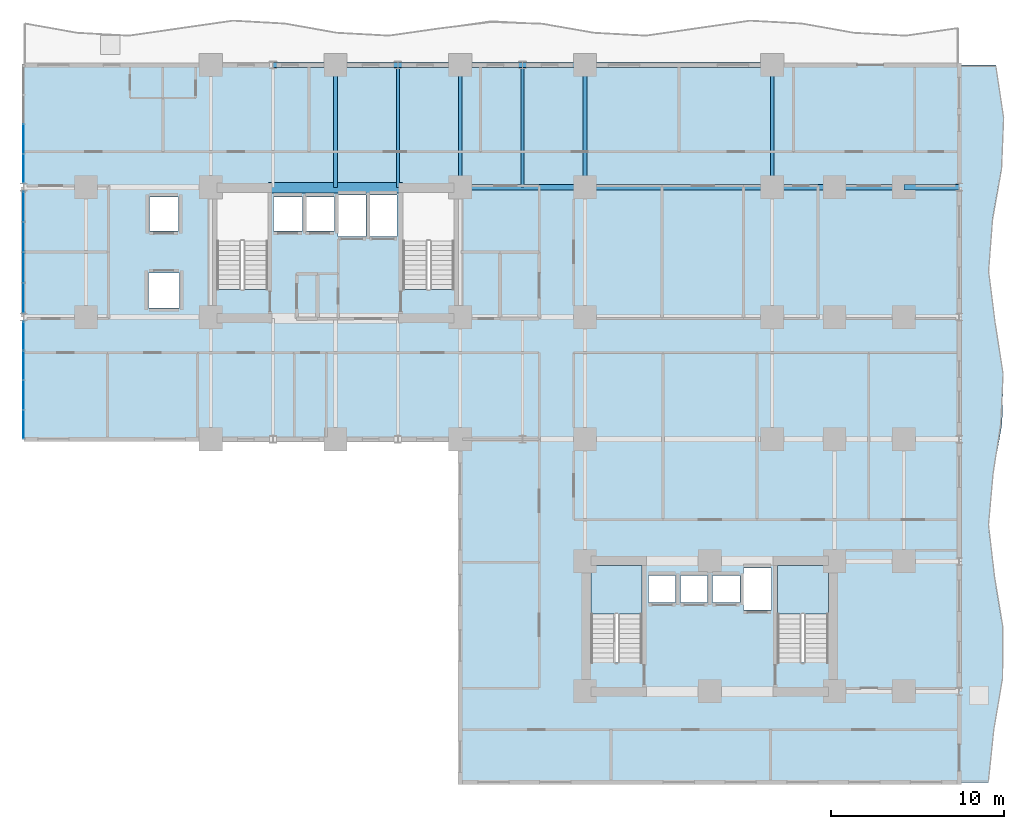
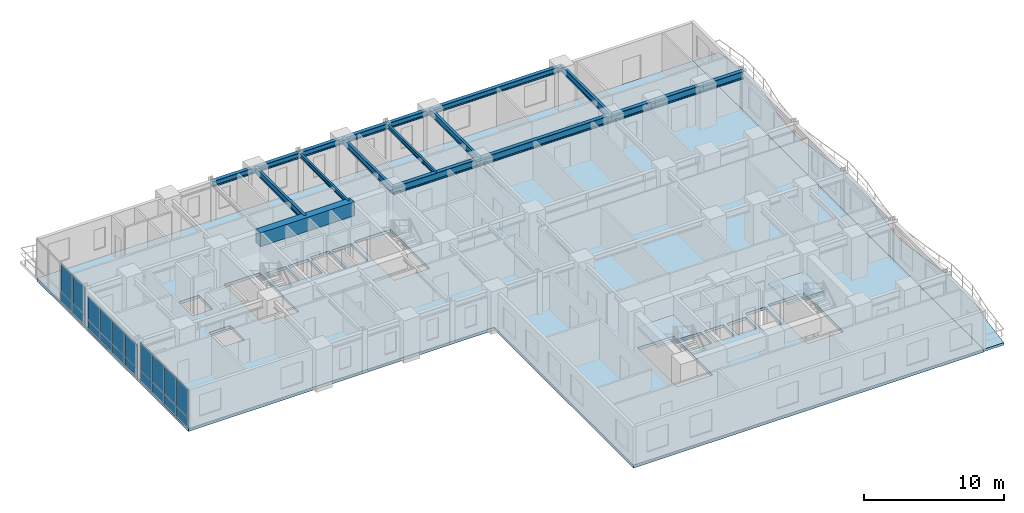
# One storey, part 9 of 19: 20 plates, 18 beams, 4 slabs, 5 elements without a shape of their own.
"""IFC4 building model written with IfcOpenShell, lengths in metres."""

from ifc_helpers import new_model, si_unit, direction, frame, origin, origin_2d, place, context, subcontext, project, spatial, polyline, rectangle, i_section, outline, extrude, source, transform, mapped, material, layer, layer_set, material_profile, profile_set, type_object, element, aggregate, save


model = new_model("IFC4")

# Units and contexts
model_context = context("Model", 3, precision=1e-05, world=origin(), true_north=direction((0.0, 1.0)))
body_context = subcontext(model_context, "Body", "Model", "MODEL_VIEW")
ifc_project = project(units=[si_unit("LENGTHUNIT", "METRE"), si_unit("AREAUNIT", "SQUARE_METRE"), si_unit("VOLUMEUNIT", "CUBIC_METRE"), si_unit("PLANEANGLEUNIT", "RADIAN"), si_unit("MASSUNIT", "GRAM", prefix="KILO")], contexts=[model_context])

# Site, building, storey
site_placement = place(None, origin())
site = spatial("IfcSite", under=ifc_project, at=site_placement, CompositionType="ELEMENT")
building_placement = place(site_placement, origin())
building = spatial("IfcBuilding", under=site, at=building_placement, Name="Kaliganga Portal Commons", CompositionType="ELEMENT")
storey_placement = place(building_placement, frame((0.0, 0.0, 47.5)))
storey = spatial("IfcBuildingStorey", under=building, at=storey_placement, Name="L11", CompositionType="ELEMENT", Elevation=47.5)

# Beams
ifc_material_1 = material(Name="Concrete C60/75", Category="concrete")
ifc_material_profile_1 = material_profile(ifc_material_1, rectangle(XDim=0.60009765625, YDim=1.199951171875, at=origin_2d()), Name="RC 600x1200")
ifc_profile_set_1 = profile_set([ifc_material_profile_1], Name="Concrete C60/75")
beam_type_1 = type_object("IfcBeamType", Name="BM-CPL-1200", PredefinedType="LINTEL", material=ifc_profile_set_1)
shared_shape_1 = source(origin(), body_context, "Body", "SweptSolid", [
    extrude(rectangle(XDim=0.60009765625, YDim=1.199951171875, at=origin_2d()), origin(), (0.0, 0.0, 1.0), 7.739990234375),
])
beam_1_placement = place(storey_placement, frame((17.72998046875, 36.125, 2.85009765625), z_axis=(1.0, 0.0, 0.0), x_axis=(0.0, 1.0, 0.0)))
element("IfcBeam", 1, at=beam_1_placement, inside=storey, type_object=beam_type_1, Name="BM CPL COREA L11 N", PredefinedType="LINTEL", context=body_context, shape_type="MappedRepresentation", body=[
    mapped(shared_shape_1, transform((0.0, 0.0, 0.0), x_axis=(1.0, 0.0, 0.0), y_axis=(0.0, 1.0, 0.0), z_axis=(0.0, 0.0, 1.0), scale=1.0)),
])
ifc_material_2 = material(Name="Structural steel S355J2", Category="steel")
ifc_material_profile_2 = material_profile(ifc_material_2, i_section(OverallWidth=0.300048828125, OverallDepth=0.5, WebThickness=0.014404296875, FlangeThickness=0.028076171875, FilletRadius=0.027099609375, at=origin_2d()), Name="HE 500 B")
ifc_profile_set_2 = profile_set([ifc_material_profile_2], Name="Structural steel S355J2 wide-flange")
beam_type_2 = type_object("IfcBeamType", Name="BM-SPAND-500", PredefinedType="SPANDREL", material=ifc_profile_set_2)
shared_shape_2 = source(origin(), body_context, "Body", "SweptSolid", [
    extrude(i_section(OverallWidth=0.300048828125, OverallDepth=0.5, WebThickness=0.014404296875, FlangeThickness=0.028076171875, FilletRadius=0.027099609375, at=origin_2d()), origin(), (0.0, 0.0, 1.0), 10.800048828125),
])
beam_2_placement = place(storey_placement, frame((36.0, 43.199951171875, 3.199951171875), z_axis=(1.0, 0.0, 0.0), x_axis=(0.0, 1.0, 0.0)))
element("IfcBeam", 2, at=beam_2_placement, inside=storey, type_object=beam_type_2, Name="BM SP L11 AN 7", PredefinedType="SPANDREL", context=body_context, shape_type="MappedRepresentation", body=[
    mapped(shared_shape_2, transform((0.0, 0.0, 0.0), x_axis=(1.0, 0.0, 0.0), y_axis=(0.0, 1.0, 0.0), z_axis=(0.0, 0.0, 1.0), scale=1.0)),
])
shared_shape_3 = source(origin(), body_context, "Body", "SweptSolid", [
    extrude(i_section(OverallWidth=0.300048828125, OverallDepth=0.5, WebThickness=0.014404296875, FlangeThickness=0.028076171875, FilletRadius=0.027099609375, at=origin_2d()), origin(), (0.0, 0.0, 1.0), 3.60009765625),
])
for number, where, z_axis, x_axis, name in (
    (3, (18.0, 43.199951171875, 3.199951171875), (1.0, 0.0, 0.0), (0.0, 1.0, 0.0), "BM SP L11 AN 2"),
    (4, (25.199951171875, 43.199951171875, 3.199951171875), (1.0, 0.0, 0.0), (0.0, 1.0, 0.0), "BM SP L11 AN 4"),
    (5, (32.39990234375, 43.199951171875, 3.199951171875), (1.0, 0.0, 0.0), (0.0, 1.0, 0.0), "BM SP L11 AN 6"),
):
    element("IfcBeam", number, at=place(storey_placement, frame(where, z_axis=z_axis, x_axis=x_axis)), inside=storey, type_object=beam_type_2, Name=name, PredefinedType="SPANDREL", context=body_context, shape_type="MappedRepresentation", body=[
        mapped(shared_shape_3, transform((0.0, 0.0, 0.0), x_axis=(1.0, 0.0, 0.0), y_axis=(0.0, 1.0, 0.0), z_axis=(0.0, 0.0, 1.0), scale=1.0)),
    ])
shared_shape_4 = source(origin(), body_context, "Body", "SweptSolid", [
    extrude(i_section(OverallWidth=0.300048828125, OverallDepth=0.5, WebThickness=0.014404296875, FlangeThickness=0.028076171875, FilletRadius=0.027099609375, at=origin_2d()), origin(), (0.0, 0.0, 1.0), 3.599853515625),
])
for number, where, z_axis, x_axis, name in (
    (6, (21.60009765625, 43.199951171875, 3.199951171875), (1.0, 0.0, 0.0), (0.0, 1.0, 0.0), "BM SP L11 AN 3"),
    (7, (28.800048828125, 43.199951171875, 3.199951171875), (1.0, 0.0, 0.0), (0.0, 1.0, 0.0), "BM SP L11 AN 5"),
):
    element("IfcBeam", number, at=place(storey_placement, frame(where, z_axis=z_axis, x_axis=x_axis)), inside=storey, type_object=beam_type_2, Name=name, PredefinedType="SPANDREL", context=body_context, shape_type="MappedRepresentation", body=[
        mapped(shared_shape_4, transform((0.0, 0.0, 0.0), x_axis=(1.0, 0.0, 0.0), y_axis=(0.0, 1.0, 0.0), z_axis=(0.0, 0.0, 1.0), scale=1.0)),
    ])
ifc_material_profile_3 = material_profile(ifc_material_2, i_section(OverallWidth=0.300048828125, OverallDepth=0.64990234375, WebThickness=0.01611328125, FlangeThickness=0.031005859375, FilletRadius=0.027099609375, at=origin_2d()), Name="HE 650 B")
ifc_profile_set_3 = profile_set([ifc_material_profile_3], Name="Structural steel S355J2 wide-flange")
beam_type_3 = type_object("IfcBeamType", Name="BM-GIRD-650", PredefinedType="USERDEFINED", material=ifc_profile_set_3)
shared_shape_5 = source(origin(), body_context, "Body", "SweptSolid", [
    extrude(i_section(OverallWidth=0.300048828125, OverallDepth=0.64990234375, WebThickness=0.01611328125, FlangeThickness=0.031005859375, FilletRadius=0.027099609375, at=origin_2d()), origin(), (0.0, 0.0, 1.0), 3.599853515625),
])
beam_3_placement = place(storey_placement, frame((46.800048828125, 36.14990234375, 3.125), z_axis=(1.0, 0.0, 0.0), x_axis=(0.0, 1.0, 0.0)))
element("IfcBeam", 8, at=beam_3_placement, inside=storey, type_object=beam_type_3, Name="BM G L11 BKE362 1", ObjectType="GIRDER", PredefinedType="USERDEFINED", context=body_context, shape_type="MappedRepresentation", body=[
    mapped(shared_shape_5, transform((0.0, 0.0, 0.0), x_axis=(1.0, 0.0, 0.0), y_axis=(0.0, 1.0, 0.0), z_axis=(0.0, 0.0, 1.0), scale=1.0)),
])
shared_shape_6 = source(origin(), body_context, "Body", "SweptSolid", [
    extrude(i_section(OverallWidth=0.300048828125, OverallDepth=0.64990234375, WebThickness=0.01611328125, FlangeThickness=0.031005859375, FilletRadius=0.027099609375, at=origin_2d()), origin(), (0.0, 0.0, 1.0), 7.199951171875),
])
beam_4_placement = place(storey_placement, frame((28.800048828125, 36.14990234375, 3.125), z_axis=(1.0, 0.0, 0.0), x_axis=(0.0, 1.0, 0.0)))
element("IfcBeam", 9, at=beam_4_placement, inside=storey, type_object=beam_type_3, Name="BM G L11 WAE_N 1", ObjectType="GIRDER", PredefinedType="USERDEFINED", context=body_context, shape_type="MappedRepresentation", body=[
    mapped(shared_shape_6, transform((0.0, 0.0, 0.0), x_axis=(1.0, 0.0, 0.0), y_axis=(0.0, 1.0, 0.0), z_axis=(0.0, 0.0, 1.0), scale=1.0)),
])
shared_shape_7 = source(origin(), body_context, "Body", "SweptSolid", [
    extrude(i_section(OverallWidth=0.300048828125, OverallDepth=0.64990234375, WebThickness=0.01611328125, FlangeThickness=0.031005859375, FilletRadius=0.027099609375, at=origin_2d()), origin(), (0.0, 0.0, 1.0), 10.800048828125),
])
beam_5_placement = place(storey_placement, frame((36.0, 36.14990234375, 3.125), z_axis=(1.0, 0.0, 0.0), x_axis=(0.0, 1.0, 0.0)))
element("IfcBeam", 10, at=beam_5_placement, inside=storey, type_object=beam_type_3, Name="BM G L11 WAE_N 2", ObjectType="GIRDER", PredefinedType="USERDEFINED", context=body_context, shape_type="MappedRepresentation", body=[
    mapped(shared_shape_7, transform((0.0, 0.0, 0.0), x_axis=(1.0, 0.0, 0.0), y_axis=(0.0, 1.0, 0.0), z_axis=(0.0, 0.0, 1.0), scale=1.0)),
])
ifc_material_profile_4 = material_profile(ifc_material_2, i_section(OverallWidth=0.2099609375, OverallDepth=0.550048828125, WebThickness=0.010986328125, FlangeThickness=0.01708984375, FilletRadius=0.02392578125, at=origin_2d()), Name="IPE 550")
ifc_profile_set_4 = profile_set([ifc_material_profile_4], Name="Structural steel S355J2 wide-flange")
beam_type_4 = type_object("IfcBeamType", Name="BM-FLR-550", PredefinedType="BEAM", material=ifc_profile_set_4)
shared_shape_8 = source(origin(), body_context, "Body", "SweptSolid", [
    extrude(i_section(OverallWidth=0.2099609375, OverallDepth=0.550048828125, WebThickness=0.010986328125, FlangeThickness=0.01708984375, FilletRadius=0.02392578125, at=origin_2d()), origin(), (0.0, 0.0, 1.0), 7.050048828125),
])
for number, where, z_axis, x_axis, name in (
    (11, (28.800048828125, 36.14990234375, 3.175048828125), (0.0, 1.0, 0.0), (-1.0, 0.0, 0.0), "BM G L11 AN288"),
    (12, (36.0, 36.14990234375, 3.175048828125), (0.0, 1.0, 0.0), (-1.0, 0.0, 0.0), "BM G L11 AN360"),
    (13, (46.800048828125, 36.14990234375, 3.175048828125), (0.0, 1.0, 0.0), (-1.0, 0.0, 0.0), "BM G L11 AN468"),
):
    element("IfcBeam", number, at=place(storey_placement, frame(where, z_axis=z_axis, x_axis=x_axis)), inside=storey, type_object=beam_type_4, Name=name, PredefinedType="BEAM", context=body_context, shape_type="MappedRepresentation", body=[
        mapped(shared_shape_8, transform((0.0, 0.0, 0.0), x_axis=(1.0, 0.0, 0.0), y_axis=(0.0, 1.0, 0.0), z_axis=(0.0, 0.0, 1.0), scale=1.0)),
    ])
ifc_material_profile_5 = material_profile(ifc_material_2, i_section(OverallWidth=0.169921875, OverallDepth=0.360107421875, WebThickness=0.008056640625, FlangeThickness=0.0126953125, FilletRadius=0.01806640625, at=origin_2d()), Name="IPE 360")
ifc_profile_set_5 = profile_set([ifc_material_profile_5], Name="Structural steel S355J2 wide-flange")
beam_type_5 = type_object("IfcBeamType", Name="BM-JST-360", PredefinedType="JOIST", material=ifc_profile_set_5)
shared_shape_9 = source(origin(), body_context, "Body", "SweptSolid", [
    extrude(i_section(OverallWidth=0.169921875, OverallDepth=0.360107421875, WebThickness=0.008056640625, FlangeThickness=0.0126953125, FilletRadius=0.01806640625, at=origin_2d()), origin(), (0.0, 0.0, 1.0), 7.074951171875),
])
beam_6_placement = place(storey_placement, frame((25.199951171875, 36.125, 3.27001953125), z_axis=(0.0, 1.0, 0.0), x_axis=(-1.0, 0.0, 0.0)))
element("IfcBeam", 14, at=beam_6_placement, inside=storey, type_object=beam_type_5, Name="BM G L11 AN252", PredefinedType="JOIST", context=body_context, shape_type="MappedRepresentation", body=[
    mapped(shared_shape_9, transform((0.0, 0.0, 0.0), x_axis=(1.0, 0.0, 0.0), y_axis=(0.0, 1.0, 0.0), z_axis=(0.0, 0.0, 1.0), scale=1.0)),
])
shared_shape_10 = source(origin(), body_context, "Body", "SweptSolid", [
    extrude(i_section(OverallWidth=0.2099609375, OverallDepth=0.550048828125, WebThickness=0.010986328125, FlangeThickness=0.01708984375, FilletRadius=0.02392578125, at=origin_2d()), origin(), (0.0, 0.0, 1.0), 7.074951171875),
])
beam_7_placement = place(storey_placement, frame((21.60009765625, 36.125, 3.175048828125), z_axis=(0.0, 1.0, 0.0), x_axis=(-1.0, 0.0, 0.0)))
element("IfcBeam", 15, at=beam_7_placement, inside=storey, type_object=beam_type_4, Name="BM G L11 AN216", PredefinedType="BEAM", context=body_context, shape_type="MappedRepresentation", body=[
    mapped(shared_shape_10, transform((0.0, 0.0, 0.0), x_axis=(1.0, 0.0, 0.0), y_axis=(0.0, 1.0, 0.0), z_axis=(0.0, 0.0, 1.0), scale=1.0)),
])
shared_shape_11 = source(origin(), body_context, "Body", "SweptSolid", [
    extrude(i_section(OverallWidth=0.169921875, OverallDepth=0.360107421875, WebThickness=0.008056640625, FlangeThickness=0.0126953125, FilletRadius=0.01806640625, at=origin_2d()), origin(), (0.0, 0.0, 1.0), 7.050048828125),
])
beam_8_placement = place(storey_placement, frame((32.39990234375, 36.14990234375, 3.27001953125), z_axis=(0.0, 1.0, 0.0), x_axis=(-1.0, 0.0, 0.0)))
element("IfcBeam", 16, at=beam_8_placement, inside=storey, type_object=beam_type_5, Name="BM G L11 AN324", PredefinedType="JOIST", context=body_context, shape_type="MappedRepresentation", body=[
    mapped(shared_shape_11, transform((0.0, 0.0, 0.0), x_axis=(1.0, 0.0, 0.0), y_axis=(0.0, 1.0, 0.0), z_axis=(0.0, 0.0, 1.0), scale=1.0)),
])
shared_shape_12 = source(origin(), body_context, "Body", "SweptSolid", [
    extrude(i_section(OverallWidth=0.300048828125, OverallDepth=0.64990234375, WebThickness=0.01611328125, FlangeThickness=0.031005859375, FilletRadius=0.027099609375, at=origin_2d()), origin(), (0.0, 0.0, 1.0), 4.0),
])
beam_9_placement = place(storey_placement, frame((50.39990234375, 36.14990234375, 3.125), z_axis=(1.0, 0.0, 0.0), x_axis=(0.0, 1.0, 0.0)))
element("IfcBeam", 17, at=beam_9_placement, inside=storey, type_object=beam_type_3, Name="BM G L11 BKE362 2", ObjectType="GIRDER", PredefinedType="USERDEFINED", context=body_context, shape_type="MappedRepresentation", body=[
    mapped(shared_shape_12, transform((0.0, 0.0, 0.0), x_axis=(1.0, 0.0, 0.0), y_axis=(0.0, 1.0, 0.0), z_axis=(0.0, 0.0, 1.0), scale=1.0)),
])
shared_shape_13 = source(origin(), body_context, "Body", "SweptSolid", [
    extrude(i_section(OverallWidth=0.300048828125, OverallDepth=0.64990234375, WebThickness=0.01611328125, FlangeThickness=0.031005859375, FilletRadius=0.027099609375, at=origin_2d()), origin(), (0.0, 0.0, 1.0), 3.2001953125),
])
beam_10_placement = place(storey_placement, frame((54.39990234375, 36.14990234375, 3.125), z_axis=(1.0, 0.0, 0.0), x_axis=(0.0, 1.0, 0.0)))
element("IfcBeam", 18, at=beam_10_placement, inside=storey, type_object=beam_type_3, Name="BM G L11 BKE362 3", ObjectType="GIRDER", PredefinedType="USERDEFINED", context=body_context, shape_type="MappedRepresentation", body=[
    mapped(shared_shape_13, transform((0.0, 0.0, 0.0), x_axis=(1.0, 0.0, 0.0), y_axis=(0.0, 1.0, 0.0), z_axis=(0.0, 0.0, 1.0), scale=1.0)),
])

# Slab
ifc_material_3 = material(Name="Concrete C40/50", Category="concrete")
ifc_layer_1 = layer(ifc_material_3, 0.2099609375)
ifc_layer_set_1 = layer_set([ifc_layer_1], Name="Concrete C40/50")
slab_type_1 = type_object("IfcSlabType", Name="SLB-BALC-210", PredefinedType="FLOOR", material=ifc_layer_set_1)
slab_1_placement = place(storey_placement, frame((0.0, 0.0, -0.2099609375)))
element("IfcSlab", 19, at=slab_1_placement, inside=storey, type_object=slab_type_1, Name="Scalloped Tree-Planter Balcony Slab L11 balc_east", PredefinedType="FLOOR", context=body_context, shape_type="SweptSolid", body=[
    extrude(outline(polyline([(57.60009765625, 1.800048828125), (59.28662109375, 1.800048828125), (59.59423828125, 4.757080078125), (60.102783203125, 7.71435546875), (60.126708984375, 10.67138671875), (59.633544921875, 13.628662109375), (59.288330078125, 16.585693359375), (59.55615234375, 19.54296875), (60.076171875, 22.5), (60.1474609375, 25.45703125), (59.673828125, 28.414306640625), (59.293701171875, 31.371337890625), (59.51953125, 34.32861328125), (60.046875, 37.28564453125), (60.164794921875, 40.242919921875), (59.714599609375, 43.199951171875), (57.60009765625, 43.199951171875), (57.60009765625, 1.800048828125)])), origin(), (0.0, 0.0, 1.0), 0.2099609375),
])

# Stair, slab
stair_type = type_object("IfcStairType", Name="ST-CORE-DOGLEG", PredefinedType="HALF_TURN_STAIR", material=ifc_material_3)
stair_1_placement = place(storey_placement, origin())
stair_1 = element("IfcStair", 20, at=stair_1_placement, inside=storey, type_object=stair_type, Name="L11 Protected Exit Stair ST-B1", PredefinedType="HALF_TURN_STAIR")
ifc_layer_2 = layer(ifc_material_3, 0.199951171875)
ifc_layer_set_2 = layer_set([ifc_layer_2], Name="Concrete C40/50")
slab_type_2 = type_object("IfcSlabType", Name="SLB-STAIR-LND", PredefinedType="LANDING", material=ifc_layer_set_2)
slab_2_placement = place(storey_placement, frame((0.0, 0.0, 1.64990234375)))
slab_2 = element("IfcSlab", 21, at=slab_2_placement, type_object=slab_type_2, Name="ST-B1 landing 1", PredefinedType="LANDING", context=body_context, shape_type="SweptSolid", body=[
    extrude(outline(polyline([(39.300048828125, 11.5), (39.300048828125, 14.300048828125), (36.35009765625, 14.300048828125), (36.35009765625, 11.5), (39.300048828125, 11.5)])), origin(), (0.0, 0.0, 1.0), 0.2001953125),
])
aggregate(stair_1, [slab_2])

stair_2_placement = place(storey_placement, origin())
stair_2 = element("IfcStair", 22, at=stair_2_placement, inside=storey, type_object=stair_type, Name="L11 Protected Exit Stair ST-B2", PredefinedType="HALF_TURN_STAIR")
slab_3_placement = place(storey_placement, frame((0.0, 0.0, 1.64990234375)))
slab_3 = element("IfcSlab", 23, at=slab_3_placement, type_object=slab_type_2, Name="ST-B2 landing 1", PredefinedType="LANDING", context=body_context, shape_type="SweptSolid", body=[
    extrude(outline(polyline([(50.050048828125, 11.5), (50.050048828125, 14.300048828125), (47.10009765625, 14.300048828125), (47.10009765625, 11.5), (50.050048828125, 11.5)])), origin(), (0.0, 0.0, 1.0), 0.2001953125),
])
aggregate(stair_2, [slab_3])

# Slab
ifc_layer_3 = layer(ifc_material_3, 0.25)
ifc_layer_set_3 = layer_set([ifc_layer_3], Name="Concrete C40/50")
slab_type_3 = type_object("IfcSlabType", Name="SLB-TWR-250", PredefinedType="FLOOR", material=ifc_layer_set_3)
slab_4_placement = place(storey_placement, frame((0.0, 0.0, -0.25)))
element("IfcSlab", 24, at=slab_4_placement, inside=storey, type_object=slab_type_3, Name="Structural Floor Slab L11", PredefinedType="FLOOR", context=body_context, shape_type="SweptSolid", body=[
    extrude(outline(polyline([(28.800048828125, 1.800048828125), (57.60009765625, 1.800048828125), (57.60009765625, 43.199951171875), (3.60009765625, 43.199951171875), (3.60009765625, 21.60009765625), (28.800048828125, 21.60009765625), (28.800048828125, 1.800048828125)]), holes=[polyline([(14.75, 30.25390625), (14.75, 35.85009765625), (17.699951171875, 35.85009765625), (17.699951171875, 30.25390625), (14.75, 30.25390625)]), polyline([(25.5, 30.25390625), (25.5, 35.85009765625), (28.449951171875, 35.85009765625), (28.449951171875, 30.25390625), (25.5, 30.25390625)]), polyline([(36.35009765625, 8.7041015625), (36.35009765625, 14.300048828125), (39.300048828125, 14.300048828125), (39.300048828125, 8.7041015625), (36.35009765625, 8.7041015625)]), polyline([(47.10009765625, 8.7041015625), (47.10009765625, 14.300048828125), (50.050048828125, 14.300048828125), (50.050048828125, 8.7041015625), (47.10009765625, 8.7041015625)]), polyline([(18.014892578125, 33.614990234375), (18.014892578125, 35.5849609375), (19.68505859375, 35.5849609375), (19.68505859375, 33.614990234375), (18.014892578125, 33.614990234375)]), polyline([(19.864990234375, 33.614990234375), (19.864990234375, 35.5849609375), (21.534912109375, 35.5849609375), (21.534912109375, 33.614990234375), (19.864990234375, 33.614990234375)]), polyline([(10.81494140625, 29.18994140625), (10.81494140625, 31.2099609375), (12.5849609375, 31.2099609375), (12.5849609375, 29.18994140625), (10.81494140625, 29.18994140625)]), polyline([(10.864990234375, 33.614990234375), (10.864990234375, 35.5849609375), (12.534912109375, 35.5849609375), (12.534912109375, 33.614990234375), (10.864990234375, 33.614990234375)]), polyline([(21.739990234375, 33.2900390625), (21.739990234375, 35.7099609375), (23.360107421875, 35.7099609375), (23.360107421875, 33.2900390625), (21.739990234375, 33.2900390625)]), polyline([(23.5400390625, 33.2900390625), (23.5400390625, 35.7099609375), (25.159912109375, 35.7099609375), (25.159912109375, 33.2900390625), (23.5400390625, 33.2900390625)]), polyline([(39.6650390625, 12.1650390625), (39.6650390625, 13.735107421875), (41.235107421875, 13.735107421875), (41.235107421875, 12.1650390625), (39.6650390625, 12.1650390625)]), polyline([(41.514892578125, 12.1650390625), (41.514892578125, 13.735107421875), (43.0849609375, 13.735107421875), (43.0849609375, 12.1650390625), (41.514892578125, 12.1650390625)]), polyline([(43.364990234375, 12.1650390625), (43.364990234375, 13.735107421875), (44.93505859375, 13.735107421875), (44.93505859375, 12.1650390625), (43.364990234375, 12.1650390625)]), polyline([(45.139892578125, 11.739990234375), (45.139892578125, 14.159912109375), (46.760009765625, 14.159912109375), (46.760009765625, 11.739990234375), (45.139892578125, 11.739990234375)])]), origin(), (0.0, 0.0, 1.0), 0.25),
])

# Curtain wall, plates
ifc_material_4 = material(Name="Anodized Aluminium and Laminated Low-E Glass", Category="aluminium")
ifc_layer_4 = layer(ifc_material_4, 0.199951171875)
ifc_layer_set_4 = layer_set([ifc_layer_4], Name="Anodized Aluminium and Laminated Low-E Glass")
curtain_wall_type = type_object("IfcCurtainWallType", Name="CW-SYS-02", PredefinedType="NOTDEFINED", material=ifc_layer_set_4)
curtain_wall_1_placement = place(storey_placement, origin())
curtain_wall_1 = element("IfcCurtainWall", 25, at=curtain_wall_1_placement, inside=storey, type_object=curtain_wall_type, Name="CW 02 L11 P1E03S1", PredefinedType="NOTDEFINED")
ifc_material_5 = material(Name="Insulated Dark Spandrel Panel", Category="metal")
ifc_layer_5 = layer(ifc_material_5, 0.044921875)
ifc_layer_set_5 = layer_set([ifc_layer_5], Name="Insulated Dark Spandrel Panel")
plate_type_1 = type_object("IfcPlateType", Name="PLT-SPN-45", PredefinedType="SHEET", material=ifc_layer_set_5)
shared_shape_14 = source(origin(), body_context, "Body", "SweptSolid", [
    extrude(rectangle(XDim=1.66650390625, YDim=0.044921875, at=origin_2d()), origin(), (0.0, 0.0, 1.0), 0.929931640625),
])
plate_1_placement = place(storey_placement, frame((3.60009765625, 38.933837890625, 0.01025390625), z_axis=(0.0, 0.0, 1.0), x_axis=(0.0, -1.0, 0.0)))
plate_1 = element("IfcPlate", 26, at=plate_1_placement, type_object=plate_type_1, Name="CW:02:L11:P1E03S1 Spandrel 02", PredefinedType="SHEET", context=body_context, shape_type="MappedRepresentation", body=[
    mapped(shared_shape_14, transform((0.0, 0.0, 0.0), x_axis=(1.0, 0.0, 0.0), y_axis=(0.0, 1.0, 0.0), z_axis=(0.0, 0.0, 1.0), scale=1.0)),
])
plate_2_placement = place(storey_placement, frame((3.60009765625, 37.227294921875, 0.01025390625), z_axis=(0.0, 0.0, 1.0), x_axis=(0.0, -1.0, 0.0)))
plate_2 = element("IfcPlate", 27, at=plate_2_placement, type_object=plate_type_1, Name="CW:02:L11:P1E03S1 Spandrel 03", PredefinedType="SHEET", context=body_context, shape_type="MappedRepresentation", body=[
    mapped(shared_shape_14, transform((0.0, 0.0, 0.0), x_axis=(1.0, 0.0, 0.0), y_axis=(0.0, 1.0, 0.0), z_axis=(0.0, 0.0, 1.0), scale=1.0)),
])

curtain_wall_2_placement = place(storey_placement, origin())
curtain_wall_2 = element("IfcCurtainWall", 28, at=curtain_wall_2_placement, inside=storey, type_object=curtain_wall_type, Name="CW 02 L11 P1E03S3", PredefinedType="NOTDEFINED")
plate_3_placement = place(storey_placement, frame((3.60009765625, 27.57275390625, 0.01025390625), z_axis=(0.0, 0.0, 1.0), x_axis=(0.0, -1.0, 0.0)))
plate_3 = element("IfcPlate", 29, at=plate_3_placement, type_object=plate_type_1, Name="CW:02:L11:P1E03S3 Spandrel 00", PredefinedType="SHEET", context=body_context, shape_type="MappedRepresentation", body=[
    mapped(shared_shape_14, transform((0.0, 0.0, 0.0), x_axis=(1.0, 0.0, 0.0), y_axis=(0.0, 1.0, 0.0), z_axis=(0.0, 0.0, 1.0), scale=1.0)),
])
plate_4_placement = place(storey_placement, frame((3.60009765625, 25.8662109375, 0.01025390625), z_axis=(0.0, 0.0, 1.0), x_axis=(0.0, -1.0, 0.0)))
plate_4 = element("IfcPlate", 30, at=plate_4_placement, type_object=plate_type_1, Name="CW:02:L11:P1E03S3 Spandrel 01", PredefinedType="SHEET", context=body_context, shape_type="MappedRepresentation", body=[
    mapped(shared_shape_14, transform((0.0, 0.0, 0.0), x_axis=(1.0, 0.0, 0.0), y_axis=(0.0, 1.0, 0.0), z_axis=(0.0, 0.0, 1.0), scale=1.0)),
])
plate_5_placement = place(storey_placement, frame((3.60009765625, 24.159912109375, 0.01025390625), z_axis=(0.0, 0.0, 1.0), x_axis=(0.0, -1.0, 0.0)))
plate_5 = element("IfcPlate", 31, at=plate_5_placement, type_object=plate_type_1, Name="CW:02:L11:P1E03S3 Spandrel 02", PredefinedType="SHEET", context=body_context, shape_type="MappedRepresentation", body=[
    mapped(shared_shape_14, transform((0.0, 0.0, 0.0), x_axis=(1.0, 0.0, 0.0), y_axis=(0.0, 1.0, 0.0), z_axis=(0.0, 0.0, 1.0), scale=1.0)),
])
plate_6_placement = place(storey_placement, frame((3.60009765625, 22.453369140625, 0.01025390625), z_axis=(0.0, 0.0, 1.0), x_axis=(0.0, -1.0, 0.0)))
plate_6 = element("IfcPlate", 32, at=plate_6_placement, type_object=plate_type_1, Name="CW:02:L11:P1E03S3 Spandrel 03", PredefinedType="SHEET", context=body_context, shape_type="MappedRepresentation", body=[
    mapped(shared_shape_14, transform((0.0, 0.0, 0.0), x_axis=(1.0, 0.0, 0.0), y_axis=(0.0, 1.0, 0.0), z_axis=(0.0, 0.0, 1.0), scale=1.0)),
])

# Plate
ifc_material_6 = material(Name="Dark Solar-Control Laminated Low-E IGU", Category="glass")
ifc_layer_6 = layer(ifc_material_6, 0.028076171875)
ifc_layer_set_6 = layer_set([ifc_layer_6], Name="Dark Solar-Control Laminated Low-E IGU")
plate_type_2 = type_object("IfcPlateType", Name="PLT-GLZ-28", PredefinedType="CURTAIN_PANEL", material=ifc_layer_set_6)
shared_shape_15 = source(origin(), body_context, "Body", "SweptSolid", [
    extrude(rectangle(XDim=1.66650390625, YDim=0.028076171875, at=origin_2d()), origin(), (0.0, 0.0, 1.0), 2.39990234375),
])
plate_7_placement = place(storey_placement, frame((3.60009765625, 38.933837890625, 0.9599609375), z_axis=(0.0, 0.0, 1.0), x_axis=(0.0, -1.0, 0.0)))
plate_7 = element("IfcPlate", 33, at=plate_7_placement, type_object=plate_type_2, Name="CW:02:L11:P1E03S1 Vision IGU 02", PredefinedType="CURTAIN_PANEL", context=body_context, shape_type="MappedRepresentation", body=[
    mapped(shared_shape_15, transform((0.0, 0.0, 0.0), x_axis=(1.0, 0.0, 0.0), y_axis=(0.0, 1.0, 0.0), z_axis=(0.0, 0.0, 1.0), scale=1.0)),
])

plate_8_placement = place(storey_placement, frame((3.60009765625, 37.227294921875, 0.9599609375), z_axis=(0.0, 0.0, 1.0), x_axis=(0.0, -1.0, 0.0)))
plate_8 = element("IfcPlate", 34, at=plate_8_placement, type_object=plate_type_2, Name="CW:02:L11:P1E03S1 Vision IGU 03", PredefinedType="CURTAIN_PANEL", context=body_context, shape_type="MappedRepresentation", body=[
    mapped(shared_shape_15, transform((0.0, 0.0, 0.0), x_axis=(1.0, 0.0, 0.0), y_axis=(0.0, 1.0, 0.0), z_axis=(0.0, 0.0, 1.0), scale=1.0)),
])

aggregate(curtain_wall_1, [plate_1, plate_7, plate_2, plate_8])

plate_9_placement = place(storey_placement, frame((3.60009765625, 27.57275390625, 0.9599609375), z_axis=(0.0, 0.0, 1.0), x_axis=(0.0, -1.0, 0.0)))
plate_9 = element("IfcPlate", 35, at=plate_9_placement, type_object=plate_type_2, Name="CW:02:L11:P1E03S3 Vision IGU 00", PredefinedType="CURTAIN_PANEL", context=body_context, shape_type="MappedRepresentation", body=[
    mapped(shared_shape_15, transform((0.0, 0.0, 0.0), x_axis=(1.0, 0.0, 0.0), y_axis=(0.0, 1.0, 0.0), z_axis=(0.0, 0.0, 1.0), scale=1.0)),
])

plate_10_placement = place(storey_placement, frame((3.60009765625, 25.8662109375, 0.9599609375), z_axis=(0.0, 0.0, 1.0), x_axis=(0.0, -1.0, 0.0)))
plate_10 = element("IfcPlate", 36, at=plate_10_placement, type_object=plate_type_2, Name="CW:02:L11:P1E03S3 Vision IGU 01", PredefinedType="CURTAIN_PANEL", context=body_context, shape_type="MappedRepresentation", body=[
    mapped(shared_shape_15, transform((0.0, 0.0, 0.0), x_axis=(1.0, 0.0, 0.0), y_axis=(0.0, 1.0, 0.0), z_axis=(0.0, 0.0, 1.0), scale=1.0)),
])

plate_11_placement = place(storey_placement, frame((3.60009765625, 24.159912109375, 0.9599609375), z_axis=(0.0, 0.0, 1.0), x_axis=(0.0, -1.0, 0.0)))
plate_11 = element("IfcPlate", 37, at=plate_11_placement, type_object=plate_type_2, Name="CW:02:L11:P1E03S3 Vision IGU 02", PredefinedType="CURTAIN_PANEL", context=body_context, shape_type="MappedRepresentation", body=[
    mapped(shared_shape_15, transform((0.0, 0.0, 0.0), x_axis=(1.0, 0.0, 0.0), y_axis=(0.0, 1.0, 0.0), z_axis=(0.0, 0.0, 1.0), scale=1.0)),
])

plate_12_placement = place(storey_placement, frame((3.60009765625, 22.453369140625, 0.9599609375), z_axis=(0.0, 0.0, 1.0), x_axis=(0.0, -1.0, 0.0)))
plate_12 = element("IfcPlate", 38, at=plate_12_placement, type_object=plate_type_2, Name="CW:02:L11:P1E03S3 Vision IGU 03", PredefinedType="CURTAIN_PANEL", context=body_context, shape_type="MappedRepresentation", body=[
    mapped(shared_shape_15, transform((0.0, 0.0, 0.0), x_axis=(1.0, 0.0, 0.0), y_axis=(0.0, 1.0, 0.0), z_axis=(0.0, 0.0, 1.0), scale=1.0)),
])

aggregate(curtain_wall_2, [plate_3, plate_9, plate_4, plate_10, plate_5, plate_11, plate_6, plate_12])

# Curtain wall, plates
curtain_wall_3_placement = place(storey_placement, origin())
curtain_wall_3 = element("IfcCurtainWall", 39, at=curtain_wall_3_placement, inside=storey, type_object=curtain_wall_type, Name="CW 02 L11 P1E03S2", PredefinedType="NOTDEFINED")
shared_shape_16 = source(origin(), body_context, "Body", "SweptSolid", [
    extrude(rectangle(XDim=1.722900390625, YDim=0.044921875, at=origin_2d()), origin(), (0.0, 0.0, 1.0), 0.805908203125),
])
plate_13_placement = place(storey_placement, frame((3.60009765625, 35.04443359375, 0.01025390625), z_axis=(0.0, 0.0, 1.0), x_axis=(0.0, -1.0, 0.0)))
plate_13 = element("IfcPlate", 40, at=plate_13_placement, type_object=plate_type_1, Name="CW:02:L11:P1E03S2 Spandrel 00", PredefinedType="SHEET", context=body_context, shape_type="MappedRepresentation", body=[
    mapped(shared_shape_16, transform((0.0, 0.0, 0.0), x_axis=(1.0, 0.0, 0.0), y_axis=(0.0, 1.0, 0.0), z_axis=(0.0, 0.0, 1.0), scale=1.0)),
])
plate_14_placement = place(storey_placement, frame((3.60009765625, 33.281494140625, 0.01025390625), z_axis=(0.0, 0.0, 1.0), x_axis=(0.0, -1.0, 0.0)))
plate_14 = element("IfcPlate", 41, at=plate_14_placement, type_object=plate_type_1, Name="CW:02:L11:P1E03S2 Spandrel 01", PredefinedType="SHEET", context=body_context, shape_type="MappedRepresentation", body=[
    mapped(shared_shape_16, transform((0.0, 0.0, 0.0), x_axis=(1.0, 0.0, 0.0), y_axis=(0.0, 1.0, 0.0), z_axis=(0.0, 0.0, 1.0), scale=1.0)),
])
plate_15_placement = place(storey_placement, frame((3.60009765625, 31.5185546875, 0.01025390625), z_axis=(0.0, 0.0, 1.0), x_axis=(0.0, -1.0, 0.0)))
plate_15 = element("IfcPlate", 42, at=plate_15_placement, type_object=plate_type_1, Name="CW:02:L11:P1E03S2 Spandrel 02", PredefinedType="SHEET", context=body_context, shape_type="MappedRepresentation", body=[
    mapped(shared_shape_16, transform((0.0, 0.0, 0.0), x_axis=(1.0, 0.0, 0.0), y_axis=(0.0, 1.0, 0.0), z_axis=(0.0, 0.0, 1.0), scale=1.0)),
])
plate_16_placement = place(storey_placement, frame((3.60009765625, 29.755615234375, 0.01025390625), z_axis=(0.0, 0.0, 1.0), x_axis=(0.0, -1.0, 0.0)))
plate_16 = element("IfcPlate", 43, at=plate_16_placement, type_object=plate_type_1, Name="CW:02:L11:P1E03S2 Spandrel 03", PredefinedType="SHEET", context=body_context, shape_type="MappedRepresentation", body=[
    mapped(shared_shape_16, transform((0.0, 0.0, 0.0), x_axis=(1.0, 0.0, 0.0), y_axis=(0.0, 1.0, 0.0), z_axis=(0.0, 0.0, 1.0), scale=1.0)),
])
shared_shape_17 = source(origin(), body_context, "Body", "SweptSolid", [
    extrude(rectangle(XDim=1.722900390625, YDim=0.028076171875, at=origin_2d()), origin(), (0.0, 0.0, 1.0), 2.02392578125),
])
plate_17_placement = place(storey_placement, frame((3.60009765625, 35.04443359375, 0.8359375), z_axis=(0.0, 0.0, 1.0), x_axis=(0.0, -1.0, 0.0)))
plate_17 = element("IfcPlate", 44, at=plate_17_placement, type_object=plate_type_2, Name="CW:02:L11:P1E03S2 Vision IGU 00", PredefinedType="CURTAIN_PANEL", context=body_context, shape_type="MappedRepresentation", body=[
    mapped(shared_shape_17, transform((0.0, 0.0, 0.0), x_axis=(1.0, 0.0, 0.0), y_axis=(0.0, 1.0, 0.0), z_axis=(0.0, 0.0, 1.0), scale=1.0)),
])
plate_18_placement = place(storey_placement, frame((3.60009765625, 33.281494140625, 0.8359375), z_axis=(0.0, 0.0, 1.0), x_axis=(0.0, -1.0, 0.0)))
plate_18 = element("IfcPlate", 45, at=plate_18_placement, type_object=plate_type_2, Name="CW:02:L11:P1E03S2 Vision IGU 01", PredefinedType="CURTAIN_PANEL", context=body_context, shape_type="MappedRepresentation", body=[
    mapped(shared_shape_17, transform((0.0, 0.0, 0.0), x_axis=(1.0, 0.0, 0.0), y_axis=(0.0, 1.0, 0.0), z_axis=(0.0, 0.0, 1.0), scale=1.0)),
])
plate_19_placement = place(storey_placement, frame((3.60009765625, 31.5185546875, 0.8359375), z_axis=(0.0, 0.0, 1.0), x_axis=(0.0, -1.0, 0.0)))
plate_19 = element("IfcPlate", 46, at=plate_19_placement, type_object=plate_type_2, Name="CW:02:L11:P1E03S2 Vision IGU 02", PredefinedType="CURTAIN_PANEL", context=body_context, shape_type="MappedRepresentation", body=[
    mapped(shared_shape_17, transform((0.0, 0.0, 0.0), x_axis=(1.0, 0.0, 0.0), y_axis=(0.0, 1.0, 0.0), z_axis=(0.0, 0.0, 1.0), scale=1.0)),
])
plate_20_placement = place(storey_placement, frame((3.60009765625, 29.755615234375, 0.8359375), z_axis=(0.0, 0.0, 1.0), x_axis=(0.0, -1.0, 0.0)))
plate_20 = element("IfcPlate", 47, at=plate_20_placement, type_object=plate_type_2, Name="CW:02:L11:P1E03S2 Vision IGU 03", PredefinedType="CURTAIN_PANEL", context=body_context, shape_type="MappedRepresentation", body=[
    mapped(shared_shape_17, transform((0.0, 0.0, 0.0), x_axis=(1.0, 0.0, 0.0), y_axis=(0.0, 1.0, 0.0), z_axis=(0.0, 0.0, 1.0), scale=1.0)),
])
aggregate(curtain_wall_3, [plate_13, plate_17, plate_14, plate_18, plate_15, plate_19, plate_16, plate_20])

save(model, "model.ifc")
